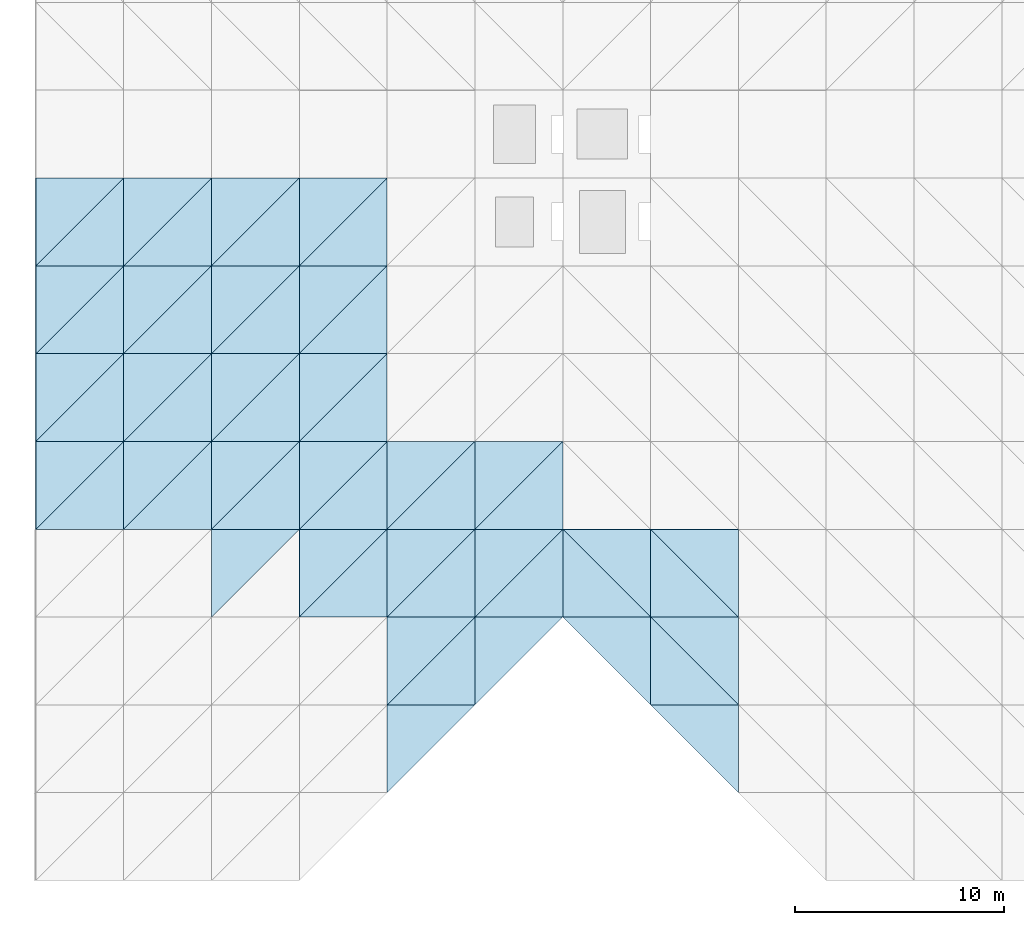
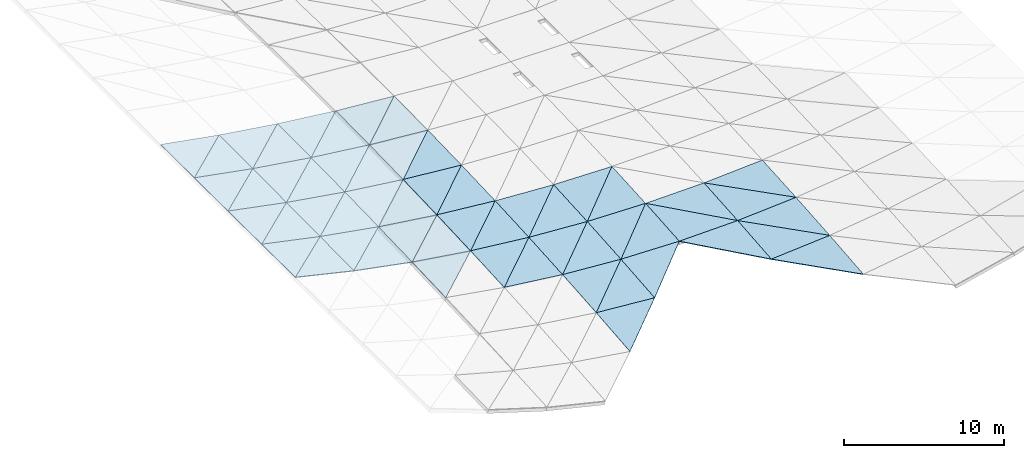
# One storey, part 19 of 31: 55 roofs.
"""IFC4 building model written with IfcOpenShell, lengths in metres."""

import ifcopenshell
import ifcopenshell.guid

model = None  # the IFC model being written
_history = None  # IfcOwnerHistory: only IFC2X3 demands one
_inside = {}  # id of a spatial element -> (the spatial element, [elements in it])
_under = {}  # id of a project, library or spatial element -> (it, [spatial elements below it])
_declared = {}  # id of a project -> (the project, [libraries it declares])
_typed = {}  # id of a type object -> (the type object, [elements of that type])
_made_of = {}  # id of a material, layer set ... -> (it, [elements and type objects made of it])


def new_model(schema):
    """Start an empty IFC model of exactly this schema.

    Asked for "IFC4X3", IfcOpenShell would pick the latest addendum, in which some entities
    have other attributes; the version numbers below select the first issue.
    IFC2X3 requires an IfcOwnerHistory on every rooted entity: one is made here for all.
    """
    global model, _history
    if schema == "IFC4X3":
        model = ifcopenshell.file(schema_version=(4, 3, 0, 0))
    else:
        model = ifcopenshell.file(schema=schema)
    _inside.clear()
    _under.clear()
    _declared.clear()
    _typed.clear()
    _made_of.clear()
    _history = None
    if model.schema == "IFC2X3":
        org = make("IfcOrganization", Name="unknown")
        user = make(
            "IfcPersonAndOrganization",
            ThePerson=make("IfcPerson", FamilyName="unknown"),
            TheOrganization=org,
        )
        app = make(
            "IfcApplication",
            ApplicationDeveloper=org,
            Version="unknown",
            ApplicationFullName="unknown",
            ApplicationIdentifier="unknown",
        )
        _history = make(
            "IfcOwnerHistory",
            OwningUser=user,
            OwningApplication=app,
            ChangeAction="ADDED",
            CreationDate=0,
        )
    return model


def make(cls, **values):
    """One entity of the class cls with the attributes given. An attribute that is None is left unset."""
    return model.create_entity(
        cls, **{name: value for name, value in values.items() if value is not None}
    )


def rooted(cls, **values):
    """An entity with a GlobalId (a new one), such as an element, a storey or a relation."""
    return make(cls, GlobalId=ifcopenshell.guid.new(), OwnerHistory=_history, **values)


def si_unit(unit_type, name, prefix=None):
    """IfcSIUnit, for example si_unit("LENGTHUNIT", "METRE", prefix="MILLI")."""
    return make("IfcSIUnit", UnitType=unit_type, Prefix=prefix, Name=name)


def assignment(units):
    """IfcUnitAssignment: the units of a project."""
    return None if units is None else make("IfcUnitAssignment", Units=units)


def point(xyz):
    """IfcCartesianPoint."""
    return None if xyz is None else make("IfcCartesianPoint", Coordinates=xyz)


def direction(xyz):
    """IfcDirection."""
    return None if xyz is None else make("IfcDirection", DirectionRatios=xyz)


def frame(location, z_axis=None, x_axis=None):
    """IfcAxis2Placement3D, a coordinate frame: its origin and axes. An axis left out is left unset."""
    return make(
        "IfcAxis2Placement3D",
        Location=point(location),
        Axis=direction(z_axis),
        RefDirection=direction(x_axis),
    )


def origin():
    """The frame at (0, 0, 0) with its axes left unset."""
    return frame((0.0, 0.0, 0.0))


def place(relative_to, where):
    """IfcLocalPlacement: puts the frame where relative to a parent placement (None: the world)."""
    return make(
        "IfcLocalPlacement", PlacementRelTo=relative_to, RelativePlacement=where
    )


def context(
    kind, dimensions, precision=None, world=None, true_north=None, identifier=None
):
    """IfcGeometricRepresentationContext, for example the 3D "Model" context."""
    return make(
        "IfcGeometricRepresentationContext",
        ContextIdentifier=identifier,
        ContextType=kind,
        CoordinateSpaceDimension=dimensions,
        Precision=precision,
        WorldCoordinateSystem=world,
        TrueNorth=true_north,
    )


def subcontext(parent, identifier, kind, view, scale=None):
    """IfcGeometricRepresentationSubContext, for example "Body" below "Model"."""
    return make(
        "IfcGeometricRepresentationSubContext",
        ContextIdentifier=identifier,
        ContextType=kind,
        ParentContext=parent,
        TargetScale=scale,
        TargetView=view,
    )


def project(units=None, contexts=None):
    """IfcProject with its units and contexts."""
    return rooted(
        "IfcProject",
        Name="project",
        RepresentationContexts=contexts,
        UnitsInContext=assignment(units),
    )


def spatial(cls, under=None, at=None, **own):
    """A site, building, storey or space (cls), placed at a placement, below another one or the project."""
    s = rooted(cls, ObjectPlacement=at, **own)
    if under is not None:
        _under.setdefault(under.id(), (under, []))[1].append(s)
    return s


def polyline(points):
    """IfcPolyline through the points."""
    return make("IfcPolyline", Points=[point(p) for p in points])


def outline(outer, holes=None, kind="AREA"):
    """IfcArbitraryClosedProfileDef: a profile drawn as a closed curve; with holes, ...WithVoids."""
    if holes is None:
        return make("IfcArbitraryClosedProfileDef", ProfileType=kind, OuterCurve=outer)
    return make(
        "IfcArbitraryProfileDefWithVoids",
        ProfileType=kind,
        OuterCurve=outer,
        InnerCurves=holes,
    )


def extrude(swept, where, along, depth):
    """IfcExtrudedAreaSolid: the profile swept, set in the frame where, extruded along a direction by depth."""
    return make(
        "IfcExtrudedAreaSolid",
        SweptArea=swept,
        Position=where,
        ExtrudedDirection=direction(along),
        Depth=depth,
    )


def shape(context_of_items, identifier, shape_type, items):
    """IfcShapeRepresentation: the items that make up one representation, for example the "Body"."""
    return make(
        "IfcShapeRepresentation",
        ContextOfItems=context_of_items,
        RepresentationIdentifier=identifier,
        RepresentationType=shape_type,
        Items=items,
    )


def material(Name=None, Category=None):
    """IfcMaterial."""
    return make("IfcMaterial", Name=Name, Category=Category)


def layer(
    of_material, thickness, ventilated=None, Name=None, Category=None, Priority=None
):
    """IfcMaterialLayer: one layer of a wall or slab, of a material (None: an air gap)."""
    return make(
        "IfcMaterialLayer",
        Material=of_material,
        LayerThickness=thickness,
        IsVentilated=ventilated,
        Name=Name,
        Category=Category,
        Priority=Priority,
    )


def layer_set(layers, Name=None):
    """IfcMaterialLayerSet."""
    return make("IfcMaterialLayerSet", MaterialLayers=layers, LayerSetName=Name)


def made_of(thing, what):
    """Note that an element or type object is made of a material, layer set ...; save() writes the relation."""
    if what is not None:
        _made_of.setdefault(what.id(), (what, []))[1].append(thing)
    return thing


def type_object(cls, material=None, **own):
    """A type object (cls), such as IfcWallType, which elements share."""
    return made_of(rooted(cls, **own), material)


def element(
    cls,
    number,
    at=None,
    inside=None,
    cuts=None,
    type_object=None,
    material=None,
    context=None,
    identifier="Body",
    shape_type=None,
    held_by="IfcProductDefinitionShape",
    body=None,
    shapes=None,
    **own,
):
    """One element of the class cls, such as IfcWall. Its Tag is "e" and its number.

    at: its placement. inside: the storey or other place that contains it. cuts: it is an
    opening in that element (IfcRelVoidsElement). A single representation is given by context,
    identifier, shape_type and body (its items); several are given by shapes. held_by: the class
    of the entity that holds the representations. save() writes the other relations.
    """
    e = rooted(cls, Tag="e%d" % number, ObjectPlacement=at, **own)
    if body is not None:
        shapes = [shape(context, identifier, shape_type, body)]
    if shapes is not None:
        e.Representation = make(held_by, Representations=shapes)
    if inside is not None:
        _inside.setdefault(inside.id(), (inside, []))[1].append(e)
    if cuts is not None:
        rooted(
            "IfcRelVoidsElement", RelatingBuildingElement=cuts, RelatedOpeningElement=e
        )
    if type_object is not None:
        _typed.setdefault(type_object.id(), (type_object, []))[1].append(e)
    return made_of(e, material)


def aggregate(whole, parts):
    """IfcRelAggregates: a whole, such as a stair, and the parts it consists of."""
    return rooted("IfcRelAggregates", RelatingObject=whole, RelatedObjects=parts)


def save(model, path):
    """Write the relations noted so far, then the file.

    IfcRelAggregates (storeys below a building ...), IfcRelContainedInSpatialStructure (elements
    in a storey), IfcRelDefinesByType, IfcRelAssociatesMaterial and IfcRelDeclares: one each for
    every whole, place, type object, material and project.
    """
    for whole, parts in _under.values():
        aggregate(whole, parts)
    for where, things in _inside.values():
        rooted(
            "IfcRelContainedInSpatialStructure",
            RelatedElements=things,
            RelatingStructure=where,
        )
    for kind, things in _typed.values():
        rooted("IfcRelDefinesByType", RelatedObjects=things, RelatingType=kind)
    for what, things in _made_of.values():
        rooted("IfcRelAssociatesMaterial", RelatedObjects=things, RelatingMaterial=what)
    for by, libraries in _declared.values():
        rooted("IfcRelDeclares", RelatingContext=by, RelatedDefinitions=libraries)
    model.write(path)


model = new_model("IFC4")

# Units and contexts
model_context = context("Model", 3, precision=1e-05, world=origin(), true_north=direction((0.0, 1.0)))
body_context = subcontext(model_context, "Body", "Model", "MODEL_VIEW")
ifc_project = project(units=[si_unit("LENGTHUNIT", "METRE"), si_unit("AREAUNIT", "SQUARE_METRE"), si_unit("VOLUMEUNIT", "CUBIC_METRE"), si_unit("PLANEANGLEUNIT", "RADIAN"), si_unit("MASSUNIT", "GRAM", prefix="KILO")], contexts=[model_context])

# Site, building, storey
site_placement = place(None, origin())
site = spatial("IfcSite", under=ifc_project, at=site_placement, CompositionType="ELEMENT")
building_placement = place(site_placement, origin())
building = spatial("IfcBuilding", under=site, at=building_placement, Name="Cumbredor Promenade Congress Hotel", CompositionType="ELEMENT")
storey_placement = place(building_placement, frame((0.0, 0.0, 31.919921875)))
storey = spatial("IfcBuildingStorey", under=building, at=storey_placement, Name="L09", CompositionType="ELEMENT", Elevation=31.919921875)

# Roofs
ifc_material = material(Name="Standing-seam zinc-aluminium roofing", Category="aluminium")
ifc_layer = layer(ifc_material, 0.050048828125, Name="Standing-seam zinc-aluminium roofing", Category="aluminium")
ifc_layer_set = layer_set([ifc_layer], Name="Standing-seam zinc-aluminium roofing")
roof_type = type_object("IfcRoofType", Name="Sweeping Pavilion Standing-Seam Roof Skin 50mm", PredefinedType="FREEFORM", material=ifc_layer_set)
roof_1_placement = place(storey_placement, frame((8.39990234375, 16.800048828125, 3.66162109375), z_axis=(0.226980464355, -0.01330262089, 0.973808456052), x_axis=(0.973894629926, 0.0, -0.227000550221)))
element("IfcRoof", 1, at=roof_1_placement, inside=storey, type_object=roof_type, Name="Plenary Congress Hall Standing-Seam Roof Skin 4.5.1", PredefinedType="FREEFORM", context=body_context, shape_type="SweptSolid", body=[
    extrude(outline(polyline([(0.0, 0.0), (4.312782084872795, 0.0), (4.299758371664307, 4.200322832299461), (0.0, 0.0)])), origin(), (0.0, 0.0, -1.0), 0.050048828125),
])
roof_2_placement = place(storey_placement, frame((8.39990234375, 16.800048828125, 3.66162109375), z_axis=(0.206663011542, 0.008019036458, 0.978379320466), x_axis=(0.698765886968, 0.69872527049, -0.153327204331)))
element("IfcRoof", 2, at=roof_2_placement, inside=storey, type_object=roof_type, Name="Plenary Congress Hall Standing-Seam Roof Skin 4.5.2", PredefinedType="FREEFORM", context=body_context, shape_type="SweptSolid", body=[
    extrude(outline(polyline([(0.0, 0.0), (6.01087630468582, -2.7755575615628914e-16), (2.9398901279429444, 2.999636791630044), (0.0, 0.0)])), origin(), (0.0, 0.0, -1.0), 0.050048828125),
])
roof_3_placement = place(storey_placement, frame((8.39990234375, 21.0, 3.627197265625), z_axis=(0.206659303416, -0.010009397822, 0.978361765538), x_axis=(0.978410779297, 0.0, -0.20666965659)))
element("IfcRoof", 3, at=roof_3_placement, inside=storey, type_object=roof_type, Name="Plenary Congress Hall Standing-Seam Roof Skin 4.6.1", PredefinedType="FREEFORM", context=body_context, shape_type="SweptSolid", body=[
    extrude(outline(polyline([(0.0, 0.0), (4.29287514137628, 0.0), (4.283994804569698, 4.200161580133431), (0.0, 0.0)])), origin(), (0.0, 0.0, -1.0), 0.050048828125),
])
roof_4_placement = place(storey_placement, frame((8.39990234375, 21.0, 3.627197265625), z_axis=(0.191293784239, 0.005990758999, 0.981514543406), x_axis=(0.700091198994, 0.700050505481, -0.140718168224)))
element("IfcRoof", 4, at=roof_4_placement, inside=storey, type_object=roof_type, Name="Plenary Congress Hall Standing-Seam Roof Skin 4.6.2", PredefinedType="FREEFORM", context=body_context, shape_type="SweptSolid", body=[
    extrude(outline(polyline([(0.0, 0.0), (5.999497377681659, 3.3306690738754696e-16), (2.943785218126119, 2.995726218612941), (0.0, 0.0)])), origin(), (0.0, 0.0, -1.0), 0.050048828125),
])
roof_5_placement = place(storey_placement, frame((8.39990234375, 25.199951171875, 3.6015625), z_axis=(0.191292954794, -0.006675388226, 0.981510287587), x_axis=(0.981532156763, 0.0, -0.191297217021)))
element("IfcRoof", 5, at=roof_5_placement, inside=storey, type_object=roof_type, Name="Plenary Congress Hall Standing-Seam Roof Skin 4.7.1", PredefinedType="FREEFORM", context=body_context, shape_type="SweptSolid", body=[
    extrude(outline(polyline([(0.0, 0.0), (4.279223338287052, 8.673617379884035e-19), (4.273759037898517, 4.200044751611318), (0.0, 0.0)])), origin(), (0.0, 0.0, -1.0), 0.050048828125),
])
roof_6_placement = place(storey_placement, frame((8.39990234375, 25.199951171875, 3.6015625), z_axis=(0.180931042037, 0.004059036563, 0.983487408282), x_axis=(0.700954209606, 0.700913465929, -0.131846536985)))
element("IfcRoof", 6, at=roof_6_placement, inside=storey, type_object=roof_type, Name="Plenary Congress Hall Standing-Seam Roof Skin 4.7.2", PredefinedType="FREEFORM", context=body_context, shape_type="SweptSolid", body=[
    extrude(outline(polyline([(0.0, 0.0), (5.992110832549499, -2.636779683484747e-16), (2.946087758424882, 2.9934022838248047), (0.0, 0.0)])), origin(), (0.0, 0.0, -1.0), 0.050048828125),
])
roof_7_placement = place(storey_placement, frame((8.39990234375, 29.39990234375, 3.584228515625), z_axis=(0.180931538, -0.003315649038, 0.983490104184), x_axis=(0.983495510242, 0.0, -0.180932532546)))
element("IfcRoof", 7, at=roof_7_placement, inside=storey, type_object=roof_type, Name="Plenary Congress Hall Standing-Seam Roof Skin 4.8.1", PredefinedType="FREEFORM", context=body_context, shape_type="SweptSolid", body=[
    extrude(outline(polyline([(0.0, 0.0), (4.270680718680236, 0.0), (4.26811868574868, 4.200218400173883), (0.0, 0.0)])), origin(), (0.0, 0.0, -1.0), 0.050048828125),
])
roof_8_placement = place(storey_placement, frame((8.39990234375, 29.39990234375, 3.584228515625), z_axis=(0.175782364141, 0.002002728758, 0.98442701585), x_axis=(0.701410699942, 0.701410699942, -0.126673043753)))
element("IfcRoof", 8, at=roof_8_placement, inside=storey, type_object=roof_type, Name="Plenary Congress Hall Standing-Seam Roof Skin 4.8.2", PredefinedType="FREEFORM", context=body_context, shape_type="SweptSolid", body=[
    extrude(outline(polyline([(0.0, 0.0), (5.988211062145045, 2.636779683484747e-16), (2.9471443452965587, 2.992666684885462), (0.0, 0.0)])), origin(), (0.0, 0.0, -1.0), 0.050048828125),
])
roof_9_placement = place(storey_placement, frame((12.60009765625, 16.800048828125, 2.6826171875), z_axis=(0.187255970925, -0.030933476453, 0.981823976784), x_axis=(0.982294058016, 0.0, -0.187345626016)))
element("IfcRoof", 9, at=roof_9_placement, inside=storey, type_object=roof_type, Name="Plenary Congress Hall Standing-Seam Roof Skin 5.5.1", PredefinedType="FREEFORM", context=body_context, shape_type="SweptSolid", body=[
    extrude(outline(polyline([(0.0, 0.0), (4.275655683349646, 0.0), (4.25086531975088, 4.201962039675588), (0.0, 0.0)])), origin(), (0.0, 0.0, -1.0), 0.050048828125),
])
roof_10_placement = place(storey_placement, frame((12.60009765625, 16.800048828125, 2.6826171875), z_axis=(0.170334559751, -0.013459523047, 0.985294361597), x_axis=(0.702667670249, 0.702667670249, -0.111876227915)))
element("IfcRoof", 10, at=roof_10_placement, inside=storey, type_object=roof_type, Name="Plenary Congress Hall Standing-Seam Roof Skin 5.5.2", PredefinedType="FREEFORM", context=body_context, shape_type="SweptSolid", body=[
    extrude(outline(polyline([(0.0, 0.0), (5.977151574917217, 1.5265566588595902e-16), (2.944751225034578, 2.9952164755321546), (0.0, 0.0)])), origin(), (0.0, 0.0, -1.0), 0.050048828125),
])
roof_11_placement = place(storey_placement, frame((12.60009765625, 21.0, 2.739990234375), z_axis=(0.170303944809, -0.023249294416, 0.985117270528), x_axis=(0.985383621077, 0.0, -0.170349990646)))
element("IfcRoof", 11, at=roof_11_placement, inside=storey, type_object=roof_type, Name="Plenary Congress Hall Standing-Seam Roof Skin 5.6.1", PredefinedType="FREEFORM", context=body_context, shape_type="SweptSolid", body=[
    extrude(outline(polyline([(0.0, 0.0), (4.262249830461327, 0.0), (4.245364553068193, 4.20108673140269), (0.0, 0.0)])), origin(), (0.0, 0.0, -1.0), 0.050048828125),
])
roof_12_placement = place(storey_placement, frame((12.60009765625, 21.0, 2.739990234375), z_axis=(0.157507811441, -0.010102541842, 0.987466064219), x_axis=(0.7032002078, 0.7032002078, -0.104971117458)))
element("IfcRoof", 12, at=roof_12_placement, inside=storey, type_object=roof_type, Name="Plenary Congress Hall Standing-Seam Roof Skin 5.6.2", PredefinedType="FREEFORM", context=body_context, shape_type="SweptSolid", body=[
    extrude(outline(polyline([(0.0, 0.0), (5.972625043748824, -2.7755575615628914e-16), (2.948896059108618, 2.990894212803992), (0.0, 0.0)])), origin(), (0.0, 0.0, -1.0), 0.050048828125),
])
roof_13_placement = place(storey_placement, frame((12.60009765625, 25.199951171875, 2.782958984375), z_axis=(0.157496793672, -0.015554530279, 0.987396990359), x_axis=(0.987516459137, 0.0, -0.157515849786)))
element("IfcRoof", 13, at=roof_13_placement, inside=storey, type_object=roof_type, Name="Plenary Congress Hall Standing-Seam Roof Skin 5.7.1", PredefinedType="FREEFORM", context=body_context, shape_type="SweptSolid", body=[
    extrude(outline(polyline([(0.0, 0.0), (4.253044223228545, 1.734723475976807e-18), (4.242622642346697, 4.200459339346479), (0.0, 0.0)])), origin(), (0.0, 0.0, -1.0), 0.050048828125),
])
roof_14_placement = place(storey_placement, frame((12.60009765625, 25.199951171875, 2.782958984375), z_axis=(0.14887393386, -0.006725193151, 0.988833314363), x_axis=(0.703481721563, 0.703481721563, -0.101128308866)))
element("IfcRoof", 14, at=roof_14_placement, inside=storey, type_object=roof_type, Name="Plenary Congress Hall Standing-Seam Roof Skin 5.7.2", PredefinedType="FREEFORM", context=body_context, shape_type="SweptSolid", body=[
    extrude(outline(polyline([(0.0, 0.0), (5.970234965799581, 5.134781488891349e-16), (2.9517002060320263, 2.98795442867307), (0.0, 0.0)])), origin(), (0.0, 0.0, -1.0), 0.050048828125),
])
roof_15_placement = place(storey_placement, frame((12.60009765625, 29.39990234375, 2.8115234375), z_axis=(0.148872752177, -0.007816802099, 0.988825465522), x_axis=(0.988855676708, 0.0, -0.148877300626)))
element("IfcRoof", 15, at=roof_15_placement, inside=storey, type_object=roof_type, Name="Plenary Congress Hall Standing-Seam Roof Skin 5.8.1", PredefinedType="FREEFORM", context=body_context, shape_type="SweptSolid", body=[
    extrude(outline(polyline([(0.0, 0.0), (4.247284281014397, 0.0), (4.242341089392039, 4.200323639377485), (0.0, 0.0)])), origin(), (0.0, 0.0, -1.0), 0.050048828125),
])
roof_16_placement = place(storey_placement, frame((12.60009765625, 29.39990234375, 2.8115234375), z_axis=(0.144487958507, -0.003335913408, 0.989500935587), x_axis=(0.703516548722, 0.703557443714, -0.10035631056)))
element("IfcRoof", 16, at=roof_16_placement, inside=storey, type_object=roof_type, Name="Plenary Congress Hall Standing-Seam Roof Skin 5.8.2", PredefinedType="FREEFORM", context=body_context, shape_type="SweptSolid", body=[
    extrude(outline(polyline([(0.0, 0.0), (5.969939412946949, -3.122502256758253e-16), (2.9536576161235324, 2.986259844669826), (0.0, 0.0)])), origin(), (0.0, 0.0, -1.0), 0.050048828125),
])
roof_17_placement = place(storey_placement, frame((16.800048828125, 12.60009765625, 1.716064453125), z_axis=(0.146628993095, -0.038955508354, 0.988424203848), x_axis=(0.705018310319, 0.705018310319, -0.076800808786)))
element("IfcRoof", 17, at=roof_17_placement, inside=storey, type_object=roof_type, Name="Plenary Congress Hall Standing-Seam Roof Skin 6.4.2", PredefinedType="FREEFORM", context=body_context, shape_type="SweptSolid", body=[
    extrude(outline(polyline([(0.0, 0.0), (5.957222827269733, -3.3306690738754696e-16), (2.9483298447411537, 2.99572032644433), (0.0, 0.0)])), origin(), (0.0, 0.0, -1.0), 0.050048828125),
])
roof_18_placement = place(storey_placement, frame((16.800048828125, 16.800048828125, 1.881591796875), z_axis=(0.146592635163, -0.044862401278, 0.988179115478), x_axis=(0.989175041018, 0.0, -0.14674037695)))
element("IfcRoof", 18, at=roof_18_placement, inside=storey, type_object=roof_type, Name="Plenary Congress Hall Standing-Seam Roof Skin 6.5.1", PredefinedType="FREEFORM", context=body_context, shape_type="SweptSolid", body=[
    extrude(outline(polyline([(0.0, 0.0), (4.245913006007242, 0.0), (4.217933456593609, 4.204184046837226), (0.0, 0.0)])), origin(), (0.0, 0.0, -1.0), 0.050048828125),
])
roof_19_placement = place(storey_placement, frame((16.800048828125, 16.800048828125, 1.881591796875), z_axis=(0.133189309052, -0.031209946176, 0.990599085006), x_axis=(0.705240694053, 0.705240694053, -0.072602526836)))
element("IfcRoof", 19, at=roof_19_placement, inside=storey, type_object=roof_type, Name="Plenary Congress Hall Standing-Seam Roof Skin 6.5.2", PredefinedType="FREEFORM", context=body_context, shape_type="SweptSolid", body=[
    extrude(outline(polyline([(0.0, 0.0), (5.95534433462351, 1.249000902703301e-16), (2.952369406799285, 2.990086023979515), (0.0, 0.0)])), origin(), (0.0, 0.0, -1.0), 0.050048828125),
])
roof_20_placement = place(storey_placement, frame((16.800048828125, 21.0, 2.013916015625), z_axis=(0.133178350958, -0.033740818704, 0.990517583887), x_axis=(0.991081889584, 0.0, -0.133254223717)))
element("IfcRoof", 20, at=roof_20_placement, inside=storey, type_object=roof_type, Name="Plenary Congress Hall Standing-Seam Roof Skin 6.6.1", PredefinedType="FREEFORM", context=body_context, shape_type="SweptSolid", body=[
    extrude(outline(polyline([(0.0, 0.0), (4.23774383934878, -3.469446951953614e-18), (4.218679636443919, 4.202343917256069), (0.0, 0.0)])), origin(), (0.0, 0.0, -1.0), 0.050048828125),
])
roof_21_placement = place(storey_placement, frame((16.800048828125, 21.0, 2.013916015625), z_axis=(0.123014035395, -0.023414767168, 0.992128668961), x_axis=(0.705331922538, 0.705331922538, -0.070807895729)))
element("IfcRoof", 21, at=roof_21_placement, inside=storey, type_object=roof_type, Name="Plenary Congress Hall Standing-Seam Roof Skin 6.6.2", PredefinedType="FREEFORM", context=body_context, shape_type="SweptSolid", body=[
    extrude(outline(polyline([(0.0, 0.0), (5.954574063175776, -1.0408340855860843e-16), (2.955341078553767, 2.9858623455834405), (0.0, 0.0)])), origin(), (0.0, 0.0, -1.0), 0.050048828125),
])
roof_22_placement = place(storey_placement, frame((16.800048828125, 25.199951171875, 2.113037109375), z_axis=(0.123016640943, -0.022492494125, 0.992149683142), x_axis=(0.992400748769, 0.0, -0.123047770571)))
element("IfcRoof", 22, at=roof_22_placement, inside=storey, type_object=roof_type, Name="Plenary Congress Hall Standing-Seam Roof Skin 6.7.1", PredefinedType="FREEFORM", context=body_context, shape_type="SweptSolid", body=[
    extrude(outline(polyline([(0.0, 0.0), (4.232112054615011, 0.0), (4.220396080366354, 4.201013978618962), (0.0, 0.0)])), origin(), (0.0, 0.0, -1.0), 0.050048828125),
])
roof_23_placement = place(storey_placement, frame((16.800048828125, 25.199951171875, 2.113037109375), z_axis=(0.116264229431, -0.015644293037, 0.993095103729), x_axis=(0.705299010005, 0.705299010005, -0.071460569345)))
element("IfcRoof", 23, at=roof_23_placement, inside=storey, type_object=roof_type, Name="Plenary Congress Hall Standing-Seam Roof Skin 6.7.2", PredefinedType="FREEFORM", context=body_context, shape_type="SweptSolid", body=[
    extrude(outline(polyline([(0.0, 0.0), (5.9548519313013655, 3.8163916471489756e-16), (2.957493421589043, 2.982817448673095), (0.0, 0.0)])), origin(), (0.0, 0.0, -1.0), 0.050048828125),
])
roof_24_placement = place(storey_placement, frame((16.800048828125, 29.39990234375, 2.17919921875), z_axis=(0.116271016168, -0.011314694403, 0.993153074047), x_axis=(0.993216653027, 0.0, -0.116278459524)))
element("IfcRoof", 24, at=roof_24_placement, inside=storey, type_object=roof_type, Name="Plenary Congress Hall Standing-Seam Roof Skin 6.8.1", PredefinedType="FREEFORM", context=body_context, shape_type="SweptSolid", body=[
    extrude(outline(polyline([(0.0, 0.0), (4.228635473513123, 8.673617379884035e-19), (4.223071367539791, 4.200464197669751), (0.0, 0.0)])), origin(), (0.0, 0.0, -1.0), 0.050048828125),
])
roof_25_placement = place(storey_placement, frame((16.800048828125, 29.39990234375, 2.17919921875), z_axis=(0.112855664685, -0.007854390101, 0.993580347785), x_axis=(0.705120370374, 0.705161358595, -0.074516586255)))
element("IfcRoof", 25, at=roof_25_placement, inside=storey, type_object=roof_type, Name="Plenary Congress Hall Standing-Seam Roof Skin 6.8.2", PredefinedType="FREEFORM", context=body_context, shape_type="SweptSolid", body=[
    extrude(outline(polyline([(0.0, 0.0), (5.956360570956042, -3.469446951953614e-16), (2.95934124940094, 2.9807788378628195), (0.0, 0.0)])), origin(), (0.0, 0.0, -1.0), 0.050048828125),
])
roof_26_placement = place(storey_placement, frame((21.0, 12.60009765625, 1.02001953125), z_axis=(0.117254845515, -0.068533038391, 0.990734335658), x_axis=(0.993069192908, 0.0, -0.117531179257)))
element("IfcRoof", 26, at=roof_26_placement, inside=storey, type_object=roof_type, Name="Plenary Congress Hall Standing-Seam Roof Skin 7.4.1", PredefinedType="FREEFORM", context=body_context, shape_type="SweptSolid", body=[
    extrude(outline(polyline([(0.0, 0.0), (4.229263380507655, 0.0), (4.19511735919028, 4.209849169843121), (0.0, 0.0)])), origin(), (0.0, 0.0, -1.0), 0.050048828125),
])
roof_27_placement = place(storey_placement, frame((21.0, 12.60009765625, 1.02001953125), z_axis=(0.105212196304, -0.056386349857, 0.992849924862), x_axis=(0.706679647611, 0.706679647611, -0.034752716496)))
element("IfcRoof", 27, at=roof_27_placement, inside=storey, type_object=roof_type, Name="Plenary Congress Hall Standing-Seam Roof Skin 7.4.2", PredefinedType="FREEFORM", context=body_context, shape_type="SweptSolid", body=[
    extrude(outline(polyline([(0.0, 0.0), (5.94321795748805, 9.71445146547012e-17), (2.9597306088479614, 2.989394408765005), (0.0, 0.0)])), origin(), (0.0, 0.0, -1.0), 0.050048828125),
])
roof_28_placement = place(storey_placement, frame((21.0, 16.800048828125, 1.258544921875), z_axis=(0.105220647526, -0.054947919059, 0.992929676022), x_axis=(0.994432042203, 0.0, -0.105379853103)))
element("IfcRoof", 28, at=roof_28_placement, inside=storey, type_object=roof_type, Name="Plenary Congress Hall Standing-Seam Roof Skin 7.5.1", PredefinedType="FREEFORM", context=body_context, shape_type="SweptSolid", body=[
    extrude(outline(polyline([(0.0, 0.0), (4.223467259332188, 3.469446951953614e-18), (4.198974676286696, 4.2063059669368394), (0.0, 0.0)])), origin(), (0.0, 0.0, -1.0), 0.050048828125),
])
roof_29_placement = place(storey_placement, frame((21.0, 16.800048828125, 1.258544921875), z_axis=(0.095492562031, -0.045145091372, 0.994405898676), x_axis=(0.706654054912, 0.706654054912, -0.035778392247)))
element("IfcRoof", 29, at=roof_29_placement, inside=storey, type_object=roof_type, Name="Plenary Congress Hall Standing-Seam Roof Skin 7.5.2", PredefinedType="FREEFORM", context=body_context, shape_type="SweptSolid", body=[
    extrude(outline(polyline([(0.0, 0.0), (5.9434332014068625, 7.632783294297951e-17), (2.96109052302552, 2.984608729685432), (0.0, 0.0)])), origin(), (0.0, 0.0, -1.0), 0.050048828125),
])
roof_30_placement = place(storey_placement, frame((21.0, 21.0, 1.44921875), z_axis=(0.095508545961, -0.041279117322, 0.994572346349), x_axis=(0.995420789287, 0.0, -0.095590021735)))
element("IfcRoof", 30, at=roof_30_placement, inside=storey, type_object=roof_type, Name="Plenary Congress Hall Standing-Seam Roof Skin 7.6.1", PredefinedType="FREEFORM", context=body_context, shape_type="SweptSolid", body=[
    extrude(outline(polyline([(0.0, 0.0), (4.219272107912606, 0.0), (4.202609198850453, 4.2035340373409245), (0.0, 0.0)])), origin(), (0.0, 0.0, -1.0), 0.050048828125),
])
roof_31_placement = place(storey_placement, frame((21.0, 21.0, 1.44921875), z_axis=(0.088192852342, -0.033911424851, 0.995526009736), x_axis=(0.706581806393, 0.706581806393, -0.038526636889)))
element("IfcRoof", 31, at=roof_31_placement, inside=storey, type_object=roof_type, Name="Plenary Congress Hall Standing-Seam Roof Skin 7.6.2", PredefinedType="FREEFORM", context=body_context, shape_type="SweptSolid", body=[
    extrude(outline(polyline([(0.0, 0.0), (5.944040921910458, 2.983724378680108e-16), (2.9620972182995713, 2.9809458083087352), (0.0, 0.0)])), origin(), (0.0, 0.0, -1.0), 0.050048828125),
])
roof_32_placement = place(storey_placement, frame((21.0, 25.199951171875, 1.59228515625), z_axis=(0.08821024905, -0.027493351902, 0.995722384786), x_axis=(0.996098923772, 0.0, -0.088243606338)))
element("IfcRoof", 32, at=roof_32_placement, inside=storey, type_object=roof_type, Name="Plenary Congress Hall Standing-Seam Roof Skin 7.7.1", PredefinedType="FREEFORM", context=body_context, shape_type="SweptSolid", body=[
    extrude(outline(polyline([(0.0, 0.0), (4.216399668387478, 0.0), (4.206166340015786, 4.201539411108989), (0.0, 0.0)])), origin(), (0.0, 0.0, -1.0), 0.050048828125),
])
roof_33_placement = place(storey_placement, frame((21.0, 25.199951171875, 1.59228515625), z_axis=(0.083335819886, -0.022585802471, 0.996265538223), x_axis=(0.70645039027, 0.70645039027, -0.043077745707)))
element("IfcRoof", 33, at=roof_33_placement, inside=storey, type_object=roof_type, Name="Plenary Congress Hall Standing-Seam Roof Skin 7.7.2", PredefinedType="FREEFORM", context=body_context, shape_type="SweptSolid", body=[
    extrude(outline(polyline([(0.0, 0.0), (5.945146651091449, 2.498001805406602e-16), (2.9629555036588067, 2.978179040276543), (0.0, 0.0)])), origin(), (0.0, 0.0, -1.0), 0.050048828125),
])
roof_34_placement = place(storey_placement, frame((21.0, 29.39990234375, 1.6875), z_axis=(0.083349163733, -0.013784536426, 0.996425061638), x_axis=(0.99651974221, 0.0, -0.083357083592)))
element("IfcRoof", 34, at=roof_34_placement, inside=storey, type_object=roof_type, Name="Plenary Congress Hall Standing-Seam Roof Skin 7.8.1", PredefinedType="FREEFORM", context=body_context, shape_type="SweptSolid", body=[
    extrude(outline(polyline([(0.0, 0.0), (4.214619132942873, 0.0), (4.209775630527101, 4.200594416166595), (0.0, 0.0)])), origin(), (0.0, 0.0, -1.0), 0.050048828125),
])
roof_35_placement = place(storey_placement, frame((21.0, 29.39990234375, 1.6875), z_axis=(0.080935104904, -0.011354587324, 0.996654695539), x_axis=(0.706226282131, 0.706267334638, -0.049304061201)))
element("IfcRoof", 35, at=roof_35_placement, inside=storey, type_object=roof_type, Name="Plenary Congress Hall Standing-Seam Roof Skin 7.8.2", PredefinedType="FREEFORM", context=body_context, shape_type="SweptSolid", body=[
    extrude(outline(polyline([(0.0, 0.0), (5.947033235867261, 4.579669976578771e-16), (2.964101471952641, 2.9762447646571095), (0.0, 0.0)])), origin(), (0.0, 0.0, -1.0), 0.050048828125),
])
roof_36_placement = place(storey_placement, frame((25.199951171875, 4.199951171875, -0.232421875), z_axis=(0.079305156593, -0.096089011552, 0.992208442817), x_axis=(0.707056203843, 0.707056203843, 0.011960318277)))
element("IfcRoof", 36, at=roof_36_placement, inside=storey, type_object=roof_type, Name="Plenary Congress Hall Standing-Seam Roof Skin 8.2.2", PredefinedType="FREEFORM", context=body_context, shape_type="SweptSolid", body=[
    extrude(outline(polyline([(0.0, 0.0), (5.94005278370425, 8.673617379884035e-18), (2.974466251212502, 2.9929210473993857), (0.0, 0.0)])), origin(), (0.0, 0.0, -1.0), 0.050048828125),
])
roof_37_placement = place(storey_placement, frame((25.199951171875, 8.39990234375, 0.17431640625), z_axis=(0.079341625822, -0.0912231412, 0.992664719289), x_axis=(0.99682098753, 0.0, -0.079673827696)))
element("IfcRoof", 37, at=roof_37_placement, inside=storey, type_object=roof_type, Name="Plenary Congress Hall Standing-Seam Roof Skin 8.3.1", PredefinedType="FREEFORM", context=body_context, shape_type="SweptSolid", body=[
    extrude(outline(polyline([(0.0, 0.0), (4.21334544959972, 0.0), (4.182592441399689, 4.217781450138573), (0.0, 0.0)])), origin(), (0.0, 0.0, -1.0), 0.050048828125),
])
roof_38_placement = place(storey_placement, frame((25.199951171875, 8.39990234375, 0.17431640625), z_axis=(0.070613965347, -0.082512996136, 0.994085143922), x_axis=(0.707060884783, 0.707101985805, 0.008466810572)))
element("IfcRoof", 38, at=roof_38_placement, inside=storey, type_object=roof_type, Name="Plenary Congress Hall Standing-Seam Roof Skin 8.3.2", PredefinedType="FREEFORM", context=body_context, shape_type="SweptSolid", body=[
    extrude(outline(polyline([(0.0, 0.0), (5.940013458906204, -8.300651832549022e-16), (2.9729182542194152, 2.9874642349035105), (0.0, 0.0)])), origin(), (0.0, 0.0, -1.0), 0.050048828125),
])
roof_39_placement = place(storey_placement, frame((25.199951171875, 12.60009765625, 0.52294921875), z_axis=(0.070649576012, -0.076199788203, 0.994586461645), x_axis=(0.997486584501, 0.0, -0.070855583692)))
element("IfcRoof", 39, at=roof_39_placement, inside=storey, type_object=roof_type, Name="Plenary Congress Hall Standing-Seam Roof Skin 8.4.1", PredefinedType="FREEFORM", context=body_context, shape_type="SweptSolid", body=[
    extrude(outline(polyline([(0.0, 0.0), (4.210533993272463, 3.469446951953614e-18), (4.187734271762068, 4.212197844093276), (0.0, 0.0)])), origin(), (0.0, 0.0, -1.0), 0.050048828125),
])
roof_40_placement = place(storey_placement, frame((25.199951171875, 12.60009765625, 0.52294921875), z_axis=(0.063314665209, -0.068870613893, 0.99561442924), x_axis=(0.707101276228, 0.707101276228, 0.003945923532)))
element("IfcRoof", 40, at=roof_40_placement, inside=storey, type_object=roof_type, Name="Plenary Congress Hall Standing-Seam Roof Skin 8.4.2", PredefinedType="FREEFORM", context=body_context, shape_type="SweptSolid", body=[
    extrude(outline(polyline([(0.0, 0.0), (5.939674150041786, 4.124305064134859e-16), (2.9709372324118455, 2.9828724318464683), (0.0, 0.0)])), origin(), (0.0, 0.0, -1.0), 0.050048828125),
])
roof_41_placement = place(storey_placement, frame((25.199951171875, 16.800048828125, 0.8134765625), z_axis=(0.063347050155, -0.061030887443, 0.996123678071), x_axis=(0.997984042167, 0.0, -0.063465357329)))
element("IfcRoof", 41, at=roof_41_placement, inside=storey, type_object=roof_type, Name="Plenary Congress Hall Standing-Seam Roof Skin 8.5.1", PredefinedType="FREEFORM", context=body_context, shape_type="SweptSolid", body=[
    extrude(outline(polyline([(0.0, 0.0), (4.208435199782525, 0.0), (4.19210402629016, 4.20779501549943), (0.0, 0.0)])), origin(), (0.0, 0.0, -1.0), 0.050048828125),
])
roof_42_placement = place(storey_placement, frame((25.199951171875, 16.800048828125, 0.8134765625), z_axis=(0.057481069945, -0.055163284867, 0.996821417607), x_axis=(0.707105825455, 0.707105825455, -0.001644145383)))
element("IfcRoof", 42, at=roof_42_placement, inside=storey, type_object=roof_type, Name="Plenary Congress Hall Standing-Seam Roof Skin 8.5.2", PredefinedType="FREEFORM", context=body_context, shape_type="SweptSolid", body=[
    extrude(outline(polyline([(0.0, 0.0), (5.939635936629451, -1.8539857149502126e-16), (2.969427804908485, 2.9792798266609806), (0.0, 0.0)])), origin(), (0.0, 0.0, -1.0), 0.050048828125),
])
roof_43_placement = place(storey_placement, frame((29.39990234375, 8.39990234375, -0.161376953125), z_axis=(0.02355148879, -0.091486250065, 0.99552779641), x_axis=(0.706285021647, 0.706285021647, 0.048196850466)))
element("IfcRoof", 43, at=roof_43_placement, inside=storey, type_object=roof_type, Name="Plenary Congress Hall Standing-Seam Roof Skin 9.3.2", PredefinedType="FREEFORM", context=body_context, shape_type="SweptSolid", body=[
    extrude(outline(polyline([(0.0, 0.0), (5.946884308415323, 5.620504062164855e-16), (2.985138362548235, 2.9798615848876677), (0.0, 0.0)])), origin(), (0.0, 0.0, -1.0), 0.050048828125),
])
roof_44_placement = place(storey_placement, frame((29.39990234375, 12.60009765625, 0.224609375), z_axis=(0.023577150715, -0.078788179084, 0.996612532934), x_axis=(0.999720283744, 0.0, -0.023650671674)))
element("IfcRoof", 44, at=roof_44_placement, inside=storey, type_object=roof_type, Name="Plenary Congress Hall Standing-Seam Roof Skin 9.4.1", PredefinedType="FREEFORM", context=body_context, shape_type="SweptSolid", body=[
    extrude(outline(polyline([(0.0, 0.0), (4.20137050412712, 0.0), (4.193517742047779, 4.213047938397861), (0.0, 0.0)])), origin(), (0.0, 0.0, -1.0), 0.050048828125),
])
roof_45_placement = place(storey_placement, frame((29.39990234375, 12.60009765625, 0.224609375), z_axis=(0.021149270828, -0.076373587104, 0.996854946086), x_axis=(0.706585468017, 0.706544397018, 0.039140662115)))
element("IfcRoof", 45, at=roof_45_placement, inside=storey, type_object=roof_type, Name="Plenary Congress Hall Standing-Seam Roof Skin 9.4.2", PredefinedType="FREEFORM", context=body_context, shape_type="SweptSolid", body=[
    extrude(outline(polyline([(0.0, 0.0), (5.944355640782941, 6.938893903907228e-16), (2.980046546523534, 2.976987249827945), (0.0, 0.0)])), origin(), (0.0, 0.0, -1.0), 0.050048828125),
])
roof_46_placement = place(storey_placement, frame((29.39990234375, 16.800048828125, 0.54638671875), z_axis=(0.021168869917, -0.063162299702, 0.997778734411), x_axis=(0.9997750167, 0.0, -0.021211223035)))
element("IfcRoof", 46, at=roof_46_placement, inside=storey, type_object=roof_type, Name="Plenary Congress Hall Standing-Seam Roof Skin 9.5.1", PredefinedType="FREEFORM", context=body_context, shape_type="SweptSolid", body=[
    extrude(outline(polyline([(0.0, 0.0), (4.20114049895349, 8.673617379884035e-19), (4.195501089313548, 4.2083541252049805), (0.0, 0.0)])), origin(), (0.0, 0.0, -1.0), 0.050048828125),
])
roof_47_placement = place(storey_placement, frame((29.39990234375, 16.800048828125, 0.54638671875), z_axis=(0.01914217663, -0.061142505995, 0.997945474981), x_axis=(0.70681444132, 0.706773357011, 0.029745039265)))
element("IfcRoof", 47, at=roof_47_placement, inside=storey, type_object=roof_type, Name="Plenary Congress Hall Standing-Seam Roof Skin 9.5.2", PredefinedType="FREEFORM", context=body_context, shape_type="SweptSolid", body=[
    extrude(outline(polyline([(0.0, 0.0), (5.94242996034122, 4.371503159461554e-16), (2.9760677080202753, 2.9746977320340355), (0.0, 0.0)])), origin(), (0.0, 0.0, -1.0), 0.050048828125),
])
roof_48_placement = place(storey_placement, frame((37.800048828125, 8.39990234375, -0.161376953125), z_axis=(-0.023552857064, -0.091486247115, 0.99552776431), x_axis=(0.0, 0.995804007328, 0.091511633084)))
element("IfcRoof", 48, at=roof_48_placement, inside=storey, type_object=roof_type, Name="Plenary Congress Hall Standing-Seam Roof Skin 10.3.2", PredefinedType="FREEFORM", context=body_context, shape_type="SweptSolid", body=[
    extrude(outline(polyline([(0.0, 0.0), (4.217893562982167, 1.734723475976807e-18), (4.208800488112688, 4.201116591089328), (0.0, 0.0)])), origin(), (0.0, 0.0, -1.0), 0.050048828125),
])
roof_49_placement = place(storey_placement, frame((33.60009765625, 12.60009765625, 0.125244140625), z_axis=(-0.023578520479, -0.078788176538, 0.996612500729), x_axis=(0.999720251237, 0.0, 0.023652045704)))
element("IfcRoof", 49, at=roof_49_placement, inside=storey, type_object=roof_type, Name="Plenary Congress Hall Standing-Seam Roof Skin 10.4.1", PredefinedType="FREEFORM", context=body_context, shape_type="SweptSolid", body=[
    extrude(outline(polyline([(0.0, 0.0), (4.201126431796189, 1.734723475976807e-18), (0.007853218300304367, 4.21304793754748), (0.0, 0.0)])), origin(), (0.0, 0.0, -1.0), 0.050048828125),
])
roof_50_placement = place(storey_placement, frame((37.800048828125, 12.60009765625, 0.224609375), z_axis=(-0.021150499672, -0.076373585118, 0.996854920166), x_axis=(0.0, 0.997077963354, 0.07639067347)))
element("IfcRoof", 50, at=roof_50_placement, inside=storey, type_object=roof_type, Name="Plenary Congress Hall Standing-Seam Roof Skin 10.4.2", PredefinedType="FREEFORM", context=body_context, shape_type="SweptSolid", body=[
    extrude(outline(polyline([(0.0, 0.0), (4.212259548637167, 0.0), (4.20545227426791, 4.2008908978870245), (0.0, 0.0)])), origin(), (0.0, 0.0, -1.0), 0.050048828125),
])
roof_51_placement = place(storey_placement, frame((42.0, 4.199951171875, -0.232421875), z_axis=(-0.079305156593, -0.096089011552, 0.992208442817), x_axis=(0.0, 0.995343390259, 0.096392611066)))
element("IfcRoof", 51, at=roof_51_placement, inside=storey, type_object=roof_type, Name="Plenary Congress Hall Standing-Seam Roof Skin 11.2.2", PredefinedType="FREEFORM", context=body_context, shape_type="SweptSolid", body=[
    extrude(outline(polyline([(0.0, 0.0), (4.219600203285661, 0.0), (4.187241843857934, 4.213221192180374), (0.0, 0.0)])), origin(), (0.0, 0.0, -1.0), 0.050048828125),
])
roof_52_placement = place(storey_placement, frame((37.800048828125, 8.39990234375, -0.161376953125), z_axis=(-0.079341625822, -0.0912231412, 0.992664719289), x_axis=(0.99682098753, 0.0, 0.079673827696)))
element("IfcRoof", 52, at=roof_52_placement, inside=storey, type_object=roof_type, Name="Plenary Congress Hall Standing-Seam Roof Skin 11.3.1", PredefinedType="FREEFORM", context=body_context, shape_type="SweptSolid", body=[
    extrude(outline(polyline([(0.0, 0.0), (4.21334544959972, 0.0), (0.030753008200030726, 4.217781450138573), (0.0, 0.0)])), origin(), (0.0, 0.0, -1.0), 0.050048828125),
])
roof_53_placement = place(storey_placement, frame((42.0, 8.39990234375, 0.17431640625), z_axis=(-0.070613965347, -0.082512996136, 0.994085143922), x_axis=(0.0, 0.996572870604, 0.082719487283)))
element("IfcRoof", 53, at=roof_53_placement, inside=storey, type_object=roof_type, Name="Plenary Congress Hall Standing-Seam Roof Skin 11.3.2", PredefinedType="FREEFORM", context=body_context, shape_type="SweptSolid", body=[
    extrude(outline(polyline([(0.0, 0.0), (4.214639427175074, 0.0), (4.189960908263887, 4.210461670554348), (0.0, 0.0)])), origin(), (0.0, 0.0, -1.0), 0.050048828125),
])
roof_54_placement = place(storey_placement, frame((37.800048828125, 12.60009765625, 0.224609375), z_axis=(-0.070649576012, -0.076199788203, 0.994586461645), x_axis=(0.997486584501, 0.0, 0.070855583692)))
element("IfcRoof", 54, at=roof_54_placement, inside=storey, type_object=roof_type, Name="Plenary Congress Hall Standing-Seam Roof Skin 11.4.1", PredefinedType="FREEFORM", context=body_context, shape_type="SweptSolid", body=[
    extrude(outline(polyline([(0.0, 0.0), (4.210533993272463, -3.469446951953614e-18), (0.022799721510395356, 4.212197844093275), (0.0, 0.0)])), origin(), (0.0, 0.0, -1.0), 0.050048828125),
])
roof_55_placement = place(storey_placement, frame((42.0, 12.60009765625, 0.52294921875), z_axis=(-0.063314665209, -0.068870613893, 0.99561442924), x_axis=(0.0, 0.997616032288, 0.069009072744)))
element("IfcRoof", 55, at=roof_55_placement, inside=storey, type_object=roof_type, Name="Plenary Congress Hall Standing-Seam Roof Skin 11.4.2", PredefinedType="FREEFORM", context=body_context, shape_type="SweptSolid", body=[
    extrude(outline(polyline([(0.0, 0.0), (4.209987646490263, 0.0), (4.191556024033607, 4.2083948372345255), (0.0, 0.0)])), origin(), (0.0, 0.0, -1.0), 0.050048828125),
])

save(model, "model.ifc")
